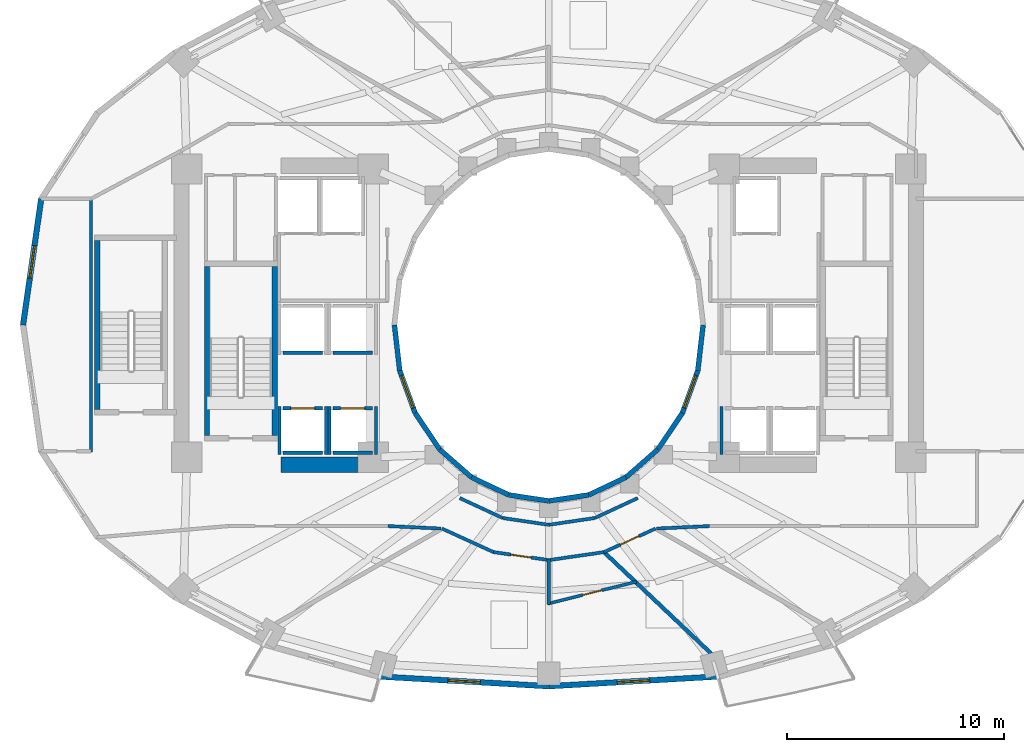
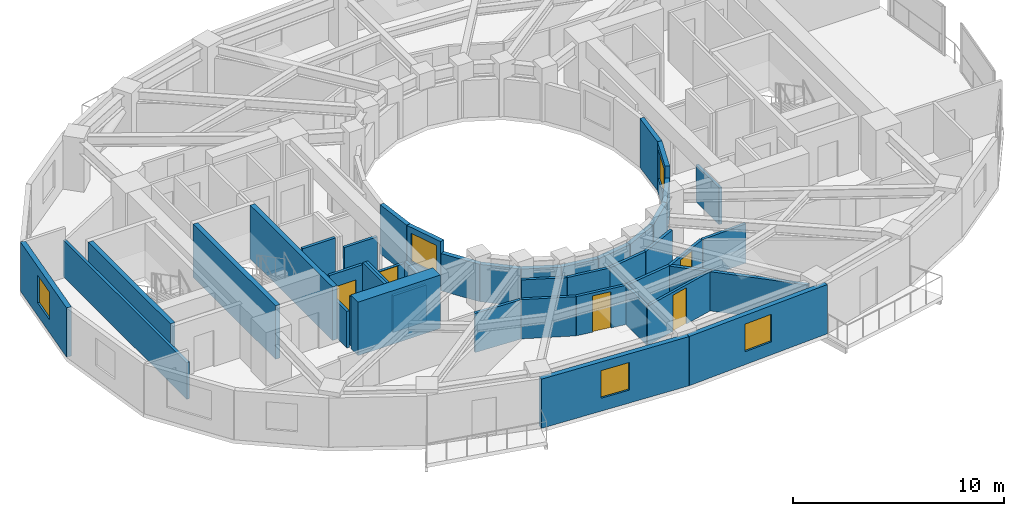
# One storey, part 7 of 14: 44 walls, 5 doors, 5 windows, 10 openings.
"""IFC4 building model written with IfcOpenShell, lengths in metres."""

from ifc_helpers import new_model, si_unit, direction, frame, frame_2d, origin, place, context, subcontext, project, spatial, rectangle, extrude, material, layer, layer_set, type_object, element, fill, save


model = new_model("IFC4")

# Units and contexts
model_context = context("Model", 3, precision=1e-05, world=origin(), true_north=direction((0.0, 1.0)))
body_context = subcontext(model_context, "Body", "Model", "MODEL_VIEW")
ifc_project = project(units=[si_unit("LENGTHUNIT", "METRE"), si_unit("AREAUNIT", "SQUARE_METRE"), si_unit("VOLUMEUNIT", "CUBIC_METRE"), si_unit("PLANEANGLEUNIT", "RADIAN"), si_unit("MASSUNIT", "GRAM", prefix="KILO")], contexts=[model_context])

# Site, building, storey
site_placement = place(None, origin())
site = spatial("IfcSite", under=ifc_project, at=site_placement, CompositionType="ELEMENT")
building_placement = place(site_placement, origin())
building = spatial("IfcBuilding", under=site, at=building_placement, Name="Solvane Sanctuary Tower", CompositionType="ELEMENT")
storey_placement = place(building_placement, frame((0.0, 0.0, 88.699951171875)))
storey = spatial("IfcBuildingStorey", under=building, at=storey_placement, Name="L26", CompositionType="ELEMENT", Elevation=88.699951171875)

# Walls
ifc_material_1 = material(Name="Concrete C60/75", Category="concrete")
ifc_layer_1 = layer(ifc_material_1, 0.699951171875, Name="Concrete C60/75")
ifc_layer_set_1 = layer_set([ifc_layer_1], Name="Concrete C60/75")
wall_type_1 = type_object("IfcWallType", Name="Wall W-CORE-700", PredefinedType="SHEAR", material=ifc_layer_set_1)
wall_1_placement = place(storey_placement, frame((19.64990234375, 16.550048828125, 0.0), z_axis=(0.0, 0.0, 1.0), x_axis=(1.0, 0.0, 0.0)))
element("IfcWall", 1, at=wall_1_placement, inside=storey, type_object=wall_type_1, Name="L26 Core Shear Wall WC-S", PredefinedType="SHEAR", context=body_context, shape_type="SweptSolid", body=[
    extrude(rectangle(XDim=4.5, YDim=0.699951171875, at=frame_2d((2.25, 0.0))), origin(), (0.0, 0.0, 1.0), 3.10009765625),
])
ifc_material_2 = material(Name="Acoustic Gypsum Partition Board")
ifc_layer_2 = layer(ifc_material_2, 0.14990234375, Name="Acoustic Gypsum Partition Board")
ifc_layer_set_2 = layer_set([ifc_layer_2], Name="Acoustic Gypsum Partition Board")
wall_type_2 = type_object("IfcWallType", Name="Wall W-CORR-150", PredefinedType="PARTITIONING", material=ifc_layer_set_2)
wall_2_placement = place(storey_placement, frame((27.889892578125, 15.01513671875, 0.0), z_axis=(0.0, 0.0, 1.0), x_axis=(0.906943449489, -0.421252393975, 0.0)))
element("IfcWall", 2, at=wall_2_placement, inside=storey, type_object=wall_type_2, Name="L26 Light-Well Corridor Rim Wall S1", PredefinedType="PARTITIONING", context=body_context, shape_type="SweptSolid", body=[
    extrude(rectangle(XDim=2.18603515625, YDim=0.14990234375, at=frame_2d((1.093017578125, 0.0))), origin(), (0.0, 0.0, 1.0), 2.27197265625),
])
for number, where, z_axis, x_axis, name in (
    (3, (29.87255859375, 14.09423828125, 0.0), (0.0, 0.0, 1.0), (0.989268584896, -0.146108408166, 0.0), "L26 Light-Well Corridor Rim Wall S2"),
    (4, (32.0, 13.780029296875, 0.0), (0.0, 0.0, 1.0), (0.989268584896, 0.146108408166, 0.0), "L26 Light-Well Corridor Rim Wall S3"),
):
    element("IfcWall", number, at=place(storey_placement, frame(where, z_axis=z_axis, x_axis=x_axis)), inside=storey, type_object=wall_type_2, Name=name, PredefinedType="PARTITIONING", context=body_context, shape_type="SweptSolid", body=[
        extrude(rectangle(XDim=2.150634765625, YDim=0.14990234375, at=frame_2d((1.0751953125, 0.0))), origin(), (0.0, 0.0, 1.0), 2.27197265625),
    ])
wall_3_placement = place(storey_placement, frame((34.12744140625, 14.09423828125, 0.0), z_axis=(0.0, 0.0, 1.0), x_axis=(0.906943449489, 0.421252393975, 0.0)))
element("IfcWall", 5, at=wall_3_placement, inside=storey, type_object=wall_type_2, Name="L26 Light-Well Corridor Rim Wall S4", PredefinedType="PARTITIONING", context=body_context, shape_type="SweptSolid", body=[
    extrude(rectangle(XDim=2.18603515625, YDim=0.14990234375, at=frame_2d((1.093017578125, 0.0))), origin(), (0.0, 0.0, 1.0), 2.27197265625),
])
wall_4_placement = place(storey_placement, frame((10.8798828125, 17.134765625, 0.0), z_axis=(0.0, 0.0, 1.0), x_axis=(0.0, 1.0, 0.0)))
element("IfcWall", 6, at=wall_4_placement, inside=storey, type_object=wall_type_2, Name="L26 West Shoulder Back Wall", PredefinedType="PARTITIONING", context=body_context, shape_type="SweptSolid", body=[
    extrude(rectangle(XDim=11.73046875, YDim=0.14990234375, at=frame_2d((5.865234375, 0.0))), origin(), (0.0, 0.0, 1.0), 2.1201171875),
])
for number, where, z_axis, x_axis, name in (
    (7, (27.02001953125, 13.606201171875, 0.0), (0.0, 0.0, 1.0), (-0.998877427952, 0.047369651964, 0.0), "L26 SW Corner Throat Wall"),
    (8, (36.97998046875, 13.606201171875, 0.0), (0.0, 0.0, 1.0), (0.998877427952, 0.047369651964, 0.0), "L26 SE Corner Throat Wall"),
):
    element("IfcWall", number, at=place(storey_placement, frame(where, z_axis=z_axis, x_axis=x_axis)), inside=storey, type_object=wall_type_2, Name=name, PredefinedType="PARTITIONING", context=body_context, shape_type="SweptSolid", body=[
        extrude(rectangle(XDim=2.4326171875, YDim=0.14990234375, at=frame_2d((1.21630859375, 0.0))), origin(), (0.0, 0.0, 1.0), 2.27197265625),
    ])
wall_5_placement = place(storey_placement, frame((31.950439453125, 12.142822265625, 0.0), z_axis=(0.0, 0.0, 1.0), x_axis=(0.989649898776, 0.143502884474, 0.0)))
element("IfcWall", 9, at=wall_5_placement, inside=storey, type_object=wall_type_2, Name="L26 En-suite Inner Wall S1", PredefinedType="PARTITIONING", context=body_context, shape_type="SweptSolid", body=[
    extrude(rectangle(XDim=2.676025390625, YDim=0.14990234375, at=frame_2d((1.337890625, 0.0))), origin(), (0.0, 0.0, 1.0), 2.27197265625),
])
wall_6_placement = place(storey_placement, frame((27.069091796875, 13.607421875, 0.0), z_axis=(0.0, 0.0, 1.0), x_axis=(0.909747571199, -0.415161843982, 0.0)))
element("IfcWall", 10, at=wall_6_placement, inside=storey, type_object=wall_type_2, Name="L26 Unit Corridor Wall S1", PredefinedType="PARTITIONING", context=body_context, shape_type="SweptSolid", body=[
    extrude(rectangle(XDim=2.625, YDim=0.14990234375, at=frame_2d((1.3125, 0.0))), origin(), (0.0, 0.0, 1.0), 2.27197265625),
])

# Wall, opening, door
wall_7_placement = place(storey_placement, frame((29.444091796875, 12.521728515625, 0.0), z_axis=(0.0, 0.0, 1.0), x_axis=(0.989637894688, -0.143585644814, 0.0)))
wall_7 = element("IfcWall", 11, at=wall_7_placement, inside=storey, type_object=wall_type_2, Name="L26 Unit Corridor Wall S1", PredefinedType="PARTITIONING", context=body_context, shape_type="SweptSolid", body=[
    extrude(rectangle(XDim=2.589599609375, YDim=0.14990234375, at=frame_2d((1.294921875, 0.0))), origin(), (0.0, 0.0, 1.0), 2.27197265625),
])
opening_1_placement = place(wall_7_placement, frame((0.81982421875, 0.0, 0.0)))
opening_1 = element("IfcOpeningElement", 12, at=opening_1_placement, cuts=wall_7, Name="Opening D-L26-24", PredefinedType="OPENING", context=body_context, shape_type="SweptSolid", body=[
    extrude(rectangle(XDim=0.949951171875, YDim=2.10009765625, at=frame_2d((0.47509765625, 1.050048828125))), frame((0.0, 0.0849609375, 0.0), z_axis=(0.0, -1.0, 0.0), x_axis=(1.0, 0.0, 0.0)), (0.0, 0.0, 1.0), 0.169921875),
])
ifc_material_3 = material(Name="Engineered Tropical Hardwood", Category="wood")
door_type_1 = type_object("IfcDoorType", Name="Door D-ROOM-950", OperationType="NOTDEFINED", PredefinedType="DOOR", material=ifc_material_3)
door_1_placement = place(opening_1_placement, origin())
door_1 = element("IfcDoor", 13, at=door_1_placement, inside=storey, type_object=door_type_1, Name="L26 Unit Entrance Door S1", OperationType="SINGLE_SWING_LEFT", OverallHeight=2.10009765625, OverallWidth=0.949951171875, PredefinedType="DOOR", context=body_context, shape_type="SweptSolid", body=[
    extrude(rectangle(XDim=0.949951171875, YDim=2.10009765625, at=frame_2d((0.47509765625, 1.050048828125))), frame((0.0, 0.02490234375, 0.0), z_axis=(0.0, -1.0, 0.0), x_axis=(1.0, 0.0, 0.0)), (0.0, 0.0, 1.0), 0.050048828125),
])
fill(opening_1, door_1)

wall_8_placement = place(storey_placement, frame((34.542724609375, 12.517578125, 0.0), z_axis=(0.0, 0.0, 1.0), x_axis=(0.909747571199, 0.415161843982, 0.0)))
wall_8 = element("IfcWall", 14, at=wall_8_placement, inside=storey, type_object=wall_type_2, Name="L26 Unit Corridor Wall S2", PredefinedType="PARTITIONING", context=body_context, shape_type="SweptSolid", body=[
    extrude(rectangle(XDim=2.625, YDim=0.14990234375, at=frame_2d((1.3125, 0.0))), origin(), (0.0, 0.0, 1.0), 2.27197265625),
])
opening_2_placement = place(wall_8_placement, frame((0.837646484375, 0.0, 0.0)))
opening_2 = element("IfcOpeningElement", 15, at=opening_2_placement, cuts=wall_8, Name="Opening D-L26-25", PredefinedType="OPENING", context=body_context, shape_type="SweptSolid", body=[
    extrude(rectangle(XDim=0.949951171875, YDim=2.10009765625, at=frame_2d((0.47509765625, 1.050048828125))), frame((0.0, 0.0849609375, 0.0), z_axis=(0.0, -1.0, 0.0), x_axis=(1.0, 0.0, 0.0)), (0.0, 0.0, 1.0), 0.169921875),
])
door_2_placement = place(opening_2_placement, origin())
door_2 = element("IfcDoor", 16, at=door_2_placement, inside=storey, type_object=door_type_1, Name="L26 Unit Entrance Door S2", OperationType="SINGLE_SWING_RIGHT", OverallHeight=2.10009765625, OverallWidth=0.949951171875, PredefinedType="DOOR", context=body_context, shape_type="SweptSolid", body=[
    extrude(rectangle(XDim=0.949951171875, YDim=2.10009765625, at=frame_2d((0.47509765625, 1.050048828125))), frame((0.0, 0.02490234375, 0.0), z_axis=(0.0, -1.0, 0.0), x_axis=(1.0, 0.0, 0.0)), (0.0, 0.0, 1.0), 0.050048828125),
])
fill(opening_2, door_2)

# Wall, opening, window
ifc_material_4 = material(Name="Precast concrete C40/50", Category="concrete")
ifc_layer_3 = layer(ifc_material_4, 0.260009765625, Name="Precast concrete C40/50")
ifc_layer_set_3 = layer_set([ifc_layer_3], Name="Precast concrete C40/50")
wall_type_3 = type_object("IfcWallType", Name="Wall W-EXT-250", PredefinedType="STANDARD", material=ifc_layer_set_3)
wall_9_placement = place(storey_placement, frame((8.578125, 28.818603515625, 0.0), z_axis=(0.0, 0.0, 1.0), x_axis=(-0.142572472068, -0.98978436551, 0.0)))
wall_9 = element("IfcWall", 17, at=wall_9_placement, inside=storey, type_object=wall_type_3, Name="L26 Ceramic-Printed Facade Wall 11", PredefinedType="STANDARD", context=body_context, shape_type="SweptSolid", body=[
    extrude(rectangle(XDim=5.878662109375, YDim=0.260009765625, at=frame_2d((2.939453125, 0.0))), origin(), (0.0, 0.0, 1.0), 2.85009765625),
])
opening_3_placement = place(wall_9_placement, frame((2.189453125, 0.0, 0.75)))
opening_3 = element("IfcOpeningElement", 18, at=opening_3_placement, cuts=wall_9, Name="Opening WN-OPER-1500", PredefinedType="OPENING", context=body_context, shape_type="SweptSolid", body=[
    extrude(rectangle(XDim=1.5, YDim=1.60009765625, at=frame_2d((0.75, 0.800048828125))), frame((0.0, 0.139892578125, 0.0), z_axis=(0.0, -1.0, 0.0), x_axis=(1.0, 0.0, 0.0)), (0.0, 0.0, 1.0), 0.280029296875),
])
ifc_material_5 = material(Name="Dark Ceramic-Fritted Low-E Glass", Category="glass")
window_type_1 = type_object("IfcWindowType", Name="Window WN-OPER-1500", PartitioningType="SINGLE_PANEL", PredefinedType="WINDOW", material=ifc_material_5)
window_1_placement = place(opening_3_placement, origin())
window_1 = element("IfcWindow", 19, at=window_1_placement, inside=storey, type_object=window_type_1, Name="L26 Operable Facade Window 11", OverallHeight=1.60009765625, OverallWidth=1.5, PartitioningType="SINGLE_PANEL", PredefinedType="WINDOW", context=body_context, shape_type="SweptSolid", body=[
    extrude(rectangle(XDim=1.5, YDim=1.60009765625, at=frame_2d((0.75, 0.800048828125))), frame((0.0, 0.030029296875, 0.0), z_axis=(0.0, -1.0, 0.0), x_axis=(1.0, 0.0, 0.0)), (0.0, 0.0, 1.0), 0.06005859375),
])
fill(opening_3, window_1)

wall_10_placement = place(storey_placement, frame((24.18359375, 6.7783203125, 0.0), z_axis=(0.0, 0.0, 1.0), x_axis=(0.998352606703, -0.057376586592, 0.0)))
wall_10 = element("IfcWall", 20, at=wall_10_placement, inside=storey, type_object=wall_type_3, Name="L26 Ceramic-Printed Facade Wall 17", PredefinedType="STANDARD", context=body_context, shape_type="SweptSolid", body=[
    extrude(rectangle(XDim=7.829345703125, YDim=0.260009765625, at=frame_2d((3.91455078125, 0.0))), origin(), (0.0, 0.0, 1.0), 2.85009765625),
])
opening_4_placement = place(wall_10_placement, frame((3.16455078125, 0.0, 0.75)))
opening_4 = element("IfcOpeningElement", 21, at=opening_4_placement, cuts=wall_10, Name="Opening WN-OPER-1500", PredefinedType="OPENING", context=body_context, shape_type="SweptSolid", body=[
    extrude(rectangle(XDim=1.5, YDim=1.60009765625, at=frame_2d((0.75, 0.800048828125))), frame((0.0, 0.139892578125, 0.0), z_axis=(0.0, -1.0, 0.0), x_axis=(1.0, 0.0, 0.0)), (0.0, 0.0, 1.0), 0.280029296875),
])
window_2_placement = place(opening_4_placement, origin())
window_2 = element("IfcWindow", 22, at=window_2_placement, inside=storey, type_object=window_type_1, Name="L26 Operable Facade Window 17", OverallHeight=1.60009765625, OverallWidth=1.5, PartitioningType="SINGLE_PANEL", PredefinedType="WINDOW", context=body_context, shape_type="SweptSolid", body=[
    extrude(rectangle(XDim=1.5, YDim=1.60009765625, at=frame_2d((0.75, 0.800048828125))), frame((0.0, 0.030029296875, 0.0), z_axis=(0.0, -1.0, 0.0), x_axis=(1.0, 0.0, 0.0)), (0.0, 0.0, 1.0), 0.06005859375),
])
fill(opening_4, window_2)

wall_11_placement = place(storey_placement, frame((32.0, 6.3291015625, 0.0), z_axis=(0.0, 0.0, 1.0), x_axis=(0.998352606703, 0.057376586592, 0.0)))
wall_11 = element("IfcWall", 23, at=wall_11_placement, inside=storey, type_object=wall_type_3, Name="L26 Ceramic-Printed Facade Wall 18", PredefinedType="STANDARD", context=body_context, shape_type="SweptSolid", body=[
    extrude(rectangle(XDim=7.829345703125, YDim=0.260009765625, at=frame_2d((3.91455078125, 0.0))), origin(), (0.0, 0.0, 1.0), 2.85009765625),
])
opening_5_placement = place(wall_11_placement, frame((3.16455078125, 0.0, 0.75)))
opening_5 = element("IfcOpeningElement", 24, at=opening_5_placement, cuts=wall_11, Name="Opening WN-OPER-1500", PredefinedType="OPENING", context=body_context, shape_type="SweptSolid", body=[
    extrude(rectangle(XDim=1.5, YDim=1.60009765625, at=frame_2d((0.75, 0.800048828125))), frame((0.0, 0.139892578125, 0.0), z_axis=(0.0, -1.0, 0.0), x_axis=(1.0, 0.0, 0.0)), (0.0, 0.0, 1.0), 0.280029296875),
])
window_3_placement = place(opening_5_placement, origin())
window_3 = element("IfcWindow", 25, at=window_3_placement, inside=storey, type_object=window_type_1, Name="L26 Operable Facade Window 18", OverallHeight=1.60009765625, OverallWidth=1.5, PartitioningType="SINGLE_PANEL", PredefinedType="WINDOW", context=body_context, shape_type="SweptSolid", body=[
    extrude(rectangle(XDim=1.5, YDim=1.60009765625, at=frame_2d((0.75, 0.800048828125))), frame((0.0, 0.030029296875, 0.0), z_axis=(0.0, -1.0, 0.0), x_axis=(1.0, 0.0, 0.0)), (0.0, 0.0, 1.0), 0.06005859375),
])
fill(opening_5, window_3)

# Wall
ifc_layer_4 = layer(ifc_material_4, 0.22998046875, Name="Precast concrete C40/50")
ifc_layer_set_4 = layer_set([ifc_layer_4], Name="Precast concrete C40/50")
wall_type_4 = type_object("IfcWallType", Name="Wall W-EXT-SP220", PredefinedType="STANDARD", material=ifc_layer_set_4)
wall_12_placement = place(storey_placement, frame((24.8798828125, 23.0, 0.0), z_axis=(0.0, 0.0, 1.0), x_axis=(0.114711713601, -0.993398823617, 0.0)))
element("IfcWall", 26, at=wall_12_placement, inside=storey, type_object=wall_type_4, Name="L26 Central Light-Well Wall 12", PredefinedType="STANDARD", context=body_context, shape_type="SweptSolid", body=[
    extrude(rectangle(XDim=2.115478515625, YDim=0.22998046875, at=frame_2d((1.0576171875, 0.0))), origin(), (0.0, 0.0, 1.0), 2.840087890625),
])

# Wall, opening, window
wall_13_placement = place(storey_placement, frame((25.12255859375, 20.8984375, 0.0), z_axis=(0.0, 0.0, 1.0), x_axis=(0.341423187295, -0.93990968033, 0.0)))
wall_13 = element("IfcWall", 27, at=wall_13_placement, inside=storey, type_object=wall_type_4, Name="L26 Central Light-Well Wall 13", PredefinedType="STANDARD", context=body_context, shape_type="SweptSolid", body=[
    extrude(rectangle(XDim=2.083740234375, YDim=0.22998046875, at=frame_2d((1.0419921875, 0.0))), origin(), (0.0, 0.0, 1.0), 2.840087890625),
])
opening_6_placement = place(wall_13_placement, frame((0.24169921875, 0.0, 0.85009765625)))
opening_6 = element("IfcOpeningElement", 28, at=opening_6_placement, cuts=wall_13, Name="Opening WN-WELL-1600", PredefinedType="OPENING", context=body_context, shape_type="SweptSolid", body=[
    extrude(rectangle(XDim=1.60009765625, YDim=1.64990234375, at=frame_2d((0.800048828125, 0.824951171875))), frame((0.0, 0.125, 0.0), z_axis=(0.0, -1.0, 0.0), x_axis=(1.0, 0.0, 0.0)), (0.0, 0.0, 1.0), 0.25),
])
ifc_material_6 = material(Name="Clear Laminated Light-Well Glass", Category="glass")
window_type_2 = type_object("IfcWindowType", Name="Window WN-WELL-1600", PartitioningType="SINGLE_PANEL", PredefinedType="WINDOW", material=ifc_material_6)
window_4_placement = place(opening_6_placement, origin())
window_4 = element("IfcWindow", 29, at=window_4_placement, inside=storey, type_object=window_type_2, Name="L26 Light-Well Daylight Window 13", OverallHeight=1.64990234375, OverallWidth=1.60009765625, PartitioningType="SINGLE_PANEL", PredefinedType="WINDOW", context=body_context, shape_type="SweptSolid", body=[
    extrude(rectangle(XDim=1.60009765625, YDim=1.64990234375, at=frame_2d((0.800048828125, 0.824951171875))), frame((0.0, 0.030029296875, 0.0), z_axis=(0.0, -1.0, 0.0), x_axis=(1.0, 0.0, 0.0)), (0.0, 0.0, 1.0), 0.06005859375),
])
fill(opening_6, window_4)

# Walls
wall_14_placement = place(storey_placement, frame((25.833984375, 18.93994140625, 0.0), z_axis=(0.0, 0.0, 1.0), x_axis=(0.558197800898, -0.829707909492, 0.0)))
element("IfcWall", 30, at=wall_14_placement, inside=storey, type_object=wall_type_4, Name="L26 Central Light-Well Wall 14", PredefinedType="STANDARD", context=body_context, shape_type="SweptSolid", body=[
    extrude(rectangle(XDim=2.02685546875, YDim=0.22998046875, at=frame_2d((1.013427734375, 0.0))), origin(), (0.0, 0.0, 1.0), 2.16015625),
])
wall_15_placement = place(storey_placement, frame((26.96533203125, 17.25830078125, 0.0), z_axis=(0.0, 0.0, 1.0), x_axis=(0.752576694707, -0.658504607869, 0.0)))
element("IfcWall", 31, at=wall_15_placement, inside=storey, type_object=wall_type_4, Name="L26 Central Light-Well Wall 15", PredefinedType="STANDARD", context=body_context, shape_type="SweptSolid", body=[
    extrude(rectangle(XDim=1.95947265625, YDim=0.22998046875, at=frame_2d((0.979736328125, 0.0))), origin(), (0.0, 0.0, 1.0), 2.16015625),
])
wall_16_placement = place(storey_placement, frame((28.43994140625, 15.968017578125, 0.0), z_axis=(0.0, 0.0, 1.0), x_axis=(0.904179699603, -0.427152280606, 0.0)))
element("IfcWall", 32, at=wall_16_placement, inside=storey, type_object=wall_type_4, Name="L26 Central Light-Well Wall 16", PredefinedType="STANDARD", context=body_context, shape_type="SweptSolid", body=[
    extrude(rectangle(XDim=1.899169921875, YDim=0.22998046875, at=frame_2d((0.94970703125, 0.0))), origin(), (0.0, 0.0, 1.0), 2.16015625),
])
for number, where, z_axis, x_axis, name in (
    (33, (30.1572265625, 15.15673828125, 0.0), (0.0, 0.0, 1.0), (0.988901730308, -0.148571086668, 0.0), "L26 Central Light-Well Wall 17"),
    (34, (32.0, 14.8798828125, 0.0), (0.0, 0.0, 1.0), (0.988901730308, 0.148571086668, 0.0), "L26 Central Light-Well Wall 18"),
):
    element("IfcWall", number, at=place(storey_placement, frame(where, z_axis=z_axis, x_axis=x_axis)), inside=storey, type_object=wall_type_4, Name=name, PredefinedType="STANDARD", context=body_context, shape_type="SweptSolid", body=[
        extrude(rectangle(XDim=1.863525390625, YDim=0.22998046875, at=frame_2d((0.931640625, 0.0))), origin(), (0.0, 0.0, 1.0), 2.16015625),
    ])
wall_17_placement = place(storey_placement, frame((33.8427734375, 15.15673828125, 0.0), z_axis=(0.0, 0.0, 1.0), x_axis=(0.904179699603, 0.427152280606, 0.0)))
element("IfcWall", 35, at=wall_17_placement, inside=storey, type_object=wall_type_4, Name="L26 Central Light-Well Wall 19", PredefinedType="STANDARD", context=body_context, shape_type="SweptSolid", body=[
    extrude(rectangle(XDim=1.899169921875, YDim=0.22998046875, at=frame_2d((0.94970703125, 0.0))), origin(), (0.0, 0.0, 1.0), 2.16015625),
])
wall_18_placement = place(storey_placement, frame((35.56005859375, 15.968017578125, 0.0), z_axis=(0.0, 0.0, 1.0), x_axis=(0.752576694707, 0.658504607869, 0.0)))
element("IfcWall", 36, at=wall_18_placement, inside=storey, type_object=wall_type_4, Name="L26 Central Light-Well Wall 20", PredefinedType="STANDARD", context=body_context, shape_type="SweptSolid", body=[
    extrude(rectangle(XDim=1.95947265625, YDim=0.22998046875, at=frame_2d((0.979736328125, 0.0))), origin(), (0.0, 0.0, 1.0), 2.16015625),
])
wall_19_placement = place(storey_placement, frame((37.03466796875, 17.25830078125, 0.0), z_axis=(0.0, 0.0, 1.0), x_axis=(0.558197800898, 0.829707909492, 0.0)))
element("IfcWall", 37, at=wall_19_placement, inside=storey, type_object=wall_type_4, Name="L26 Central Light-Well Wall 21", PredefinedType="STANDARD", context=body_context, shape_type="SweptSolid", body=[
    extrude(rectangle(XDim=2.02685546875, YDim=0.22998046875, at=frame_2d((1.013427734375, 0.0))), origin(), (0.0, 0.0, 1.0), 2.16015625),
])

# Wall, opening, window
wall_20_placement = place(storey_placement, frame((38.166015625, 18.93994140625, 0.0), z_axis=(0.0, 0.0, 1.0), x_axis=(0.341423187295, 0.93990968033, 0.0)))
wall_20 = element("IfcWall", 38, at=wall_20_placement, inside=storey, type_object=wall_type_4, Name="L26 Central Light-Well Wall 22", PredefinedType="STANDARD", context=body_context, shape_type="SweptSolid", body=[
    extrude(rectangle(XDim=2.083740234375, YDim=0.22998046875, at=frame_2d((1.0419921875, 0.0))), origin(), (0.0, 0.0, 1.0), 2.840087890625),
])
opening_7_placement = place(wall_20_placement, frame((0.24169921875, 0.0, 0.85009765625)))
opening_7 = element("IfcOpeningElement", 39, at=opening_7_placement, cuts=wall_20, Name="Opening WN-WELL-1600", PredefinedType="OPENING", context=body_context, shape_type="SweptSolid", body=[
    extrude(rectangle(XDim=1.60009765625, YDim=1.64990234375, at=frame_2d((0.800048828125, 0.824951171875))), frame((0.0, 0.125, 0.0), z_axis=(0.0, -1.0, 0.0), x_axis=(1.0, 0.0, 0.0)), (0.0, 0.0, 1.0), 0.25),
])
window_5_placement = place(opening_7_placement, origin())
window_5 = element("IfcWindow", 40, at=window_5_placement, inside=storey, type_object=window_type_2, Name="L26 Light-Well Daylight Window 22", OverallHeight=1.64990234375, OverallWidth=1.60009765625, PartitioningType="SINGLE_PANEL", PredefinedType="WINDOW", context=body_context, shape_type="SweptSolid", body=[
    extrude(rectangle(XDim=1.60009765625, YDim=1.64990234375, at=frame_2d((0.800048828125, 0.824951171875))), frame((0.0, 0.030029296875, 0.0), z_axis=(0.0, -1.0, 0.0), x_axis=(1.0, 0.0, 0.0)), (0.0, 0.0, 1.0), 0.06005859375),
])
fill(opening_7, window_5)

# Wall
wall_21_placement = place(storey_placement, frame((38.87744140625, 20.8984375, 0.0), z_axis=(0.0, 0.0, 1.0), x_axis=(0.114711713601, 0.993398823617, 0.0)))
element("IfcWall", 41, at=wall_21_placement, inside=storey, type_object=wall_type_4, Name="L26 Central Light-Well Wall 23", PredefinedType="STANDARD", context=body_context, shape_type="SweptSolid", body=[
    extrude(rectangle(XDim=2.115478515625, YDim=0.22998046875, at=frame_2d((1.0576171875, 0.0))), origin(), (0.0, 0.0, 1.0), 2.840087890625),
])

# Wall, opening, door
ifc_material_7 = material(Name="Concrete C50/60", Category="concrete")
ifc_layer_5 = layer(ifc_material_7, 0.14990234375, Name="Concrete C50/60")
ifc_layer_set_5 = layer_set([ifc_layer_5], Name="Concrete C50/60")
wall_type_5 = type_object("IfcWallType", Name="Wall W-SHAFT-150", PredefinedType="SOLIDWALL", material=ifc_layer_set_5)
wall_22_placement = place(storey_placement, frame((19.739990234375, 19.159912109375, 0.0), z_axis=(0.0, 0.0, 1.0), x_axis=(1.0, 0.0, 0.0)))
wall_22 = element("IfcWall", 42, at=wall_22_placement, inside=storey, type_object=wall_type_5, Name="L26 PL-1 Lift Shaft Wall F", PredefinedType="SOLIDWALL", context=body_context, shape_type="SweptSolid", body=[
    extrude(rectangle(XDim=1.820068359375, YDim=0.14990234375, at=frame_2d((0.91015625, 0.0))), origin(), (0.0, 0.0, 1.0), 2.85498046875),
])
opening_8_placement = place(wall_22_placement, frame((0.360107421875, 0.0, 0.0)))
opening_8 = element("IfcOpeningElement", 43, at=opening_8_placement, cuts=wall_22, Name="Opening LD-L26-01", PredefinedType="OPENING", context=body_context, shape_type="SweptSolid", body=[
    extrude(rectangle(XDim=1.10009765625, YDim=2.10009765625, at=frame_2d((0.550048828125, 1.050048828125))), frame((0.0, 0.0849609375, 0.0), z_axis=(0.0, -1.0, 0.0), x_axis=(1.0, 0.0, 0.0)), (0.0, 0.0, 1.0), 0.169921875),
])
ifc_material_8 = material(Name="Architectural Stainless Steel 316", Category="steel")
door_type_2 = type_object("IfcDoorType", Name="Door LD-PASS-1100", OperationType="NOTDEFINED", PredefinedType="DOOR", material=ifc_material_8)
door_3_placement = place(opening_8_placement, origin())
door_3 = element("IfcDoor", 44, at=door_3_placement, inside=storey, type_object=door_type_2, Name="L26 PL-1 Lift Landing Door", OperationType="DOUBLE_DOOR_SLIDING", OverallHeight=2.10009765625, OverallWidth=1.10009765625, PredefinedType="DOOR", context=body_context, shape_type="SweptSolid", body=[
    extrude(rectangle(XDim=1.10009765625, YDim=2.10009765625, at=frame_2d((0.550048828125, 1.050048828125))), frame((0.0, 0.02490234375, 0.0), z_axis=(0.0, -1.0, 0.0), x_axis=(1.0, 0.0, 0.0)), (0.0, 0.0, 1.0), 0.050048828125),
])
fill(opening_8, door_3)

# Walls
wall_23_placement = place(storey_placement, frame((19.739990234375, 17.10009765625, 0.0), z_axis=(0.0, 0.0, 1.0), x_axis=(1.0, 0.0, 0.0)))
element("IfcWall", 45, at=wall_23_placement, inside=storey, type_object=wall_type_5, Name="L26 PL-1 Lift Shaft Wall B", PredefinedType="SOLIDWALL", context=body_context, shape_type="SweptSolid", body=[
    extrude(rectangle(XDim=1.820068359375, YDim=0.14990234375, at=frame_2d((0.91015625, 0.0))), origin(), (0.0, 0.0, 1.0), 2.85498046875),
])
wall_24_placement = place(storey_placement, frame((19.570068359375, 17.02001953125, 0.0), z_axis=(0.0, 0.0, 1.0), x_axis=(0.0, 1.0, 0.0)))
element("IfcWall", 46, at=wall_24_placement, inside=storey, type_object=wall_type_5, Name="L26 PL-1 Lift Shaft Wall S1", PredefinedType="SOLIDWALL", context=body_context, shape_type="SweptSolid", body=[
    extrude(rectangle(XDim=2.219970703125, YDim=0.14990234375, at=frame_2d((1.10986328125, 0.0))), origin(), (0.0, 0.0, 1.0), 2.1201171875),
])
wall_25_placement = place(storey_placement, frame((21.72998046875, 17.02001953125, 0.0), z_axis=(0.0, 0.0, 1.0), x_axis=(0.0, 1.0, 0.0)))
element("IfcWall", 47, at=wall_25_placement, inside=storey, type_object=wall_type_5, Name="L26 PL-1 Lift Shaft Wall S2", PredefinedType="SOLIDWALL", context=body_context, shape_type="SweptSolid", body=[
    extrude(rectangle(XDim=2.219970703125, YDim=0.14990234375, at=frame_2d((1.10986328125, 0.0))), origin(), (0.0, 0.0, 1.0), 2.85498046875),
])

# Wall, opening, door
wall_26_placement = place(storey_placement, frame((22.0400390625, 19.159912109375, 0.0), z_axis=(0.0, 0.0, 1.0), x_axis=(1.0, 0.0, 0.0)))
wall_26 = element("IfcWall", 48, at=wall_26_placement, inside=storey, type_object=wall_type_5, Name="L26 PL-2 Lift Shaft Wall F", PredefinedType="SOLIDWALL", context=body_context, shape_type="SweptSolid", body=[
    extrude(rectangle(XDim=1.820068359375, YDim=0.14990234375, at=frame_2d((0.91015625, 0.0))), origin(), (0.0, 0.0, 1.0), 2.1201171875),
])
opening_9_placement = place(wall_26_placement, frame((0.360107421875, 0.0, 0.0)))
opening_9 = element("IfcOpeningElement", 49, at=opening_9_placement, cuts=wall_26, Name="Opening LD-L26-02", PredefinedType="OPENING", context=body_context, shape_type="SweptSolid", body=[
    extrude(rectangle(XDim=1.10009765625, YDim=2.10009765625, at=frame_2d((0.550048828125, 1.050048828125))), frame((0.0, 0.0849609375, 0.0), z_axis=(0.0, -1.0, 0.0), x_axis=(1.0, 0.0, 0.0)), (0.0, 0.0, 1.0), 0.169921875),
])
door_4_placement = place(opening_9_placement, origin())
door_4 = element("IfcDoor", 50, at=door_4_placement, inside=storey, type_object=door_type_2, Name="L26 PL-2 Lift Landing Door", OperationType="DOUBLE_DOOR_SLIDING", OverallHeight=2.10009765625, OverallWidth=1.10009765625, PredefinedType="DOOR", context=body_context, shape_type="SweptSolid", body=[
    extrude(rectangle(XDim=1.10009765625, YDim=2.10009765625, at=frame_2d((0.550048828125, 1.050048828125))), frame((0.0, 0.02490234375, 0.0), z_axis=(0.0, -1.0, 0.0), x_axis=(1.0, 0.0, 0.0)), (0.0, 0.0, 1.0), 0.050048828125),
])
fill(opening_9, door_4)

# Walls
wall_27_placement = place(storey_placement, frame((22.0400390625, 17.10009765625, 0.0), z_axis=(0.0, 0.0, 1.0), x_axis=(1.0, 0.0, 0.0)))
element("IfcWall", 51, at=wall_27_placement, inside=storey, type_object=wall_type_5, Name="L26 PL-2 Lift Shaft Wall B", PredefinedType="SOLIDWALL", context=body_context, shape_type="SweptSolid", body=[
    extrude(rectangle(XDim=1.820068359375, YDim=0.14990234375, at=frame_2d((0.91015625, 0.0))), origin(), (0.0, 0.0, 1.0), 2.1201171875),
])
wall_28_placement = place(storey_placement, frame((21.8701171875, 17.02001953125, 0.0), z_axis=(0.0, 0.0, 1.0), x_axis=(0.0, 1.0, 0.0)))
element("IfcWall", 52, at=wall_28_placement, inside=storey, type_object=wall_type_5, Name="L26 PL-2 Lift Shaft Wall S1", PredefinedType="SOLIDWALL", context=body_context, shape_type="SweptSolid", body=[
    extrude(rectangle(XDim=2.219970703125, YDim=0.14990234375, at=frame_2d((1.10986328125, 0.0))), origin(), (0.0, 0.0, 1.0), 2.85498046875),
])
for number, where, z_axis, x_axis, name in (
    (53, (24.030029296875, 17.02001953125, 0.0), (0.0, 0.0, 1.0), (0.0, 1.0, 0.0), "L26 PL-2 Lift Shaft Wall S2"),
    (54, (39.969970703125, 17.02001953125, 0.0), (0.0, 0.0, 1.0), (0.0, 1.0, 0.0), "L26 PL-3 Lift Shaft Wall S1"),
):
    element("IfcWall", number, at=place(storey_placement, frame(where, z_axis=z_axis, x_axis=x_axis)), inside=storey, type_object=wall_type_5, Name=name, PredefinedType="SOLIDWALL", context=body_context, shape_type="SweptSolid", body=[
        extrude(rectangle(XDim=2.219970703125, YDim=0.14990234375, at=frame_2d((1.10986328125, 0.0))), origin(), (0.0, 0.0, 1.0), 2.1201171875),
    ])
wall_29_placement = place(storey_placement, frame((19.739990234375, 21.719970703125, 0.0), z_axis=(0.0, 0.0, 1.0), x_axis=(1.0, 0.0, 0.0)))
element("IfcWall", 55, at=wall_29_placement, inside=storey, type_object=wall_type_5, Name="L26 PM-1 Lift Shaft Wall F", PredefinedType="SOLIDWALL", context=body_context, shape_type="SweptSolid", body=[
    extrude(rectangle(XDim=1.820068359375, YDim=0.14990234375, at=frame_2d((0.91015625, 0.0))), origin(), (0.0, 0.0, 1.0), 2.85498046875),
])
wall_30_placement = place(storey_placement, frame((22.0400390625, 21.719970703125, 0.0), z_axis=(0.0, 0.0, 1.0), x_axis=(1.0, 0.0, 0.0)))
element("IfcWall", 56, at=wall_30_placement, inside=storey, type_object=wall_type_5, Name="L26 PH-1 Lift Shaft Wall F", PredefinedType="SOLIDWALL", context=body_context, shape_type="SweptSolid", body=[
    extrude(rectangle(XDim=1.820068359375, YDim=0.14990234375, at=frame_2d((0.91015625, 0.0))), origin(), (0.0, 0.0, 1.0), 2.1201171875),
])
ifc_layer_6 = layer(ifc_material_7, 0.25, Name="Concrete C50/60")
ifc_layer_set_6 = layer_set([ifc_layer_6], Name="Concrete C50/60")
wall_type_6 = type_object("IfcWallType", Name="Wall W-SHAFT-250", PredefinedType="SOLIDWALL", material=ifc_layer_set_6)
for number, where, z_axis, x_axis, name in (
    (57, (16.22998046875, 17.89501953125, 0.0), (0.0, 0.0, 1.0), (0.0, 1.0, 0.0), "L26 ST-1 Load-Bearing Shaft Wall W"),
    (58, (19.35009765625, 17.89501953125, 0.0), (0.0, 0.0, 1.0), (0.0, 1.0, 0.0), "L26 ST-1 Load-Bearing Shaft Wall E"),
    (59, (11.169921875, 19.094970703125, 0.0), (0.0, 0.0, 1.0), (0.0, 1.0, 0.0), "L26 ST-3 Load-Bearing Shaft Wall W"),
):
    element("IfcWall", number, at=place(storey_placement, frame(where, z_axis=z_axis, x_axis=x_axis)), inside=storey, type_object=wall_type_6, Name=name, PredefinedType="SOLIDWALL", context=body_context, shape_type="SweptSolid", body=[
        extrude(rectangle(XDim=7.81005859375, YDim=0.25, at=frame_2d((3.905029296875, 0.0))), origin(), (0.0, 0.0, 1.0), 3.10009765625),
    ])
ifc_layer_7 = layer(ifc_material_2, 0.179931640625, Name="Acoustic Gypsum Partition Board")
ifc_layer_set_7 = layer_set([ifc_layer_7], Name="Acoustic Gypsum Partition Board")
wall_type_7 = type_object("IfcWallType", Name="Wall W-UNIT-180", PredefinedType="PARTITIONING", material=ifc_layer_set_7)
wall_31_placement = place(storey_placement, frame((34.58935546875, 12.48193359375, 0.0), z_axis=(0.0, 0.0, 1.0), x_axis=(0.726306601605, -0.687370875485, 0.0)))
element("IfcWall", 60, at=wall_31_placement, inside=storey, type_object=wall_type_7, Name="L26 Radial Compartment Wall 285", PredefinedType="PARTITIONING", context=body_context, shape_type="SweptSolid", body=[
    extrude(rectangle(XDim=6.759521484375, YDim=0.179931640625, at=frame_2d((3.3798828125, 0.0))), origin(), (0.0, 0.0, 1.0), 2.27197265625),
])
ifc_layer_8 = layer(ifc_material_2, 0.139892578125, Name="Acoustic Gypsum Partition Board")
ifc_layer_set_8 = layer_set([ifc_layer_8], Name="Acoustic Gypsum Partition Board")
wall_type_8 = type_object("IfcWallType", Name="Wall W-WET-140", PredefinedType="PLUMBINGWALL", material=ifc_layer_set_8)
wall_32_placement = place(storey_placement, frame((32.0, 12.199951171875, 0.0), z_axis=(0.0, 0.0, 1.0), x_axis=(0.0, -1.0, 0.0)))
element("IfcWall", 61, at=wall_32_placement, inside=storey, type_object=wall_type_8, Name="L26 En-suite Side Partition S1", PredefinedType="PLUMBINGWALL", context=body_context, shape_type="SweptSolid", body=[
    extrude(rectangle(XDim=2.099853515625, YDim=0.139892578125, at=frame_2d((1.0498046875, 0.0))), origin(), (0.0, 0.0, 1.0), 2.27197265625),
])

# Wall, opening, door
wall_33_placement = place(storey_placement, frame((31.951416015625, 10.137939453125, 0.0), z_axis=(0.0, 0.0, 1.0), x_axis=(0.970461257599, 0.241257015439, 0.0)))
wall_33 = element("IfcWall", 62, at=wall_33_placement, inside=storey, type_object=wall_type_8, Name="L26 En-suite Bedroom Wall S1", PredefinedType="PLUMBINGWALL", context=body_context, shape_type="SweptSolid", body=[
    extrude(rectangle(XDim=4.223876953125, YDim=0.139892578125, at=frame_2d((2.11181640625, 0.0))), origin(), (0.0, 0.0, 1.0), 2.27197265625),
])
opening_10_placement = place(wall_33_placement, frame((1.661865234375, 0.0, 0.0)))
opening_10 = element("IfcOpeningElement", 63, at=opening_10_placement, cuts=wall_33, Name="Opening D-L26-23", PredefinedType="OPENING", context=body_context, shape_type="SweptSolid", body=[
    extrude(rectangle(XDim=0.89990234375, YDim=2.10009765625, at=frame_2d((0.449951171875, 1.050048828125))), frame((0.0, 0.079833984375, 0.0), z_axis=(0.0, -1.0, 0.0), x_axis=(1.0, 0.0, 0.0)), (0.0, 0.0, 1.0), 0.159912109375),
])
door_type_3 = type_object("IfcDoorType", Name="Door D-WET-900", OperationType="NOTDEFINED", PredefinedType="DOOR", material=ifc_material_3)
door_5_placement = place(opening_10_placement, origin())
door_5 = element("IfcDoor", 64, at=door_5_placement, inside=storey, type_object=door_type_3, Name="L26 En-suite Bathroom Door S1", OperationType="SINGLE_SWING_RIGHT", OverallHeight=2.10009765625, OverallWidth=0.89990234375, PredefinedType="DOOR", context=body_context, shape_type="SweptSolid", body=[
    extrude(rectangle(XDim=0.89990234375, YDim=2.10009765625, at=frame_2d((0.449951171875, 1.050048828125))), frame((0.0, 0.02490234375, 0.0), z_axis=(0.0, -1.0, 0.0), x_axis=(1.0, 0.0, 0.0)), (0.0, 0.0, 1.0), 0.050048828125),
])
fill(opening_10, door_5)

save(model, "model.ifc")
